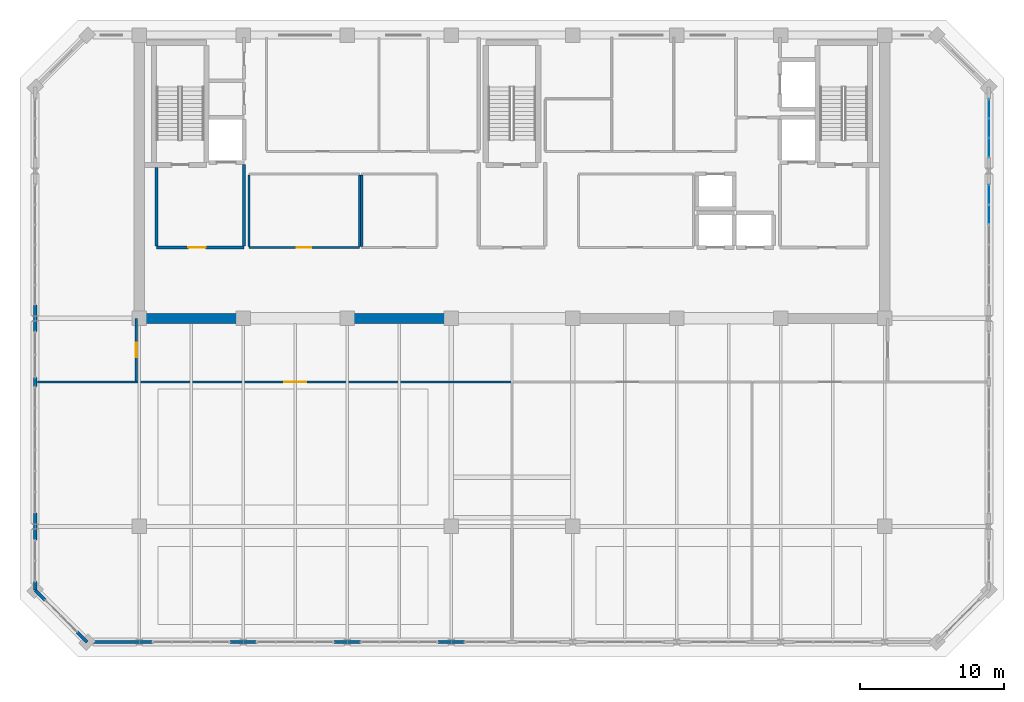
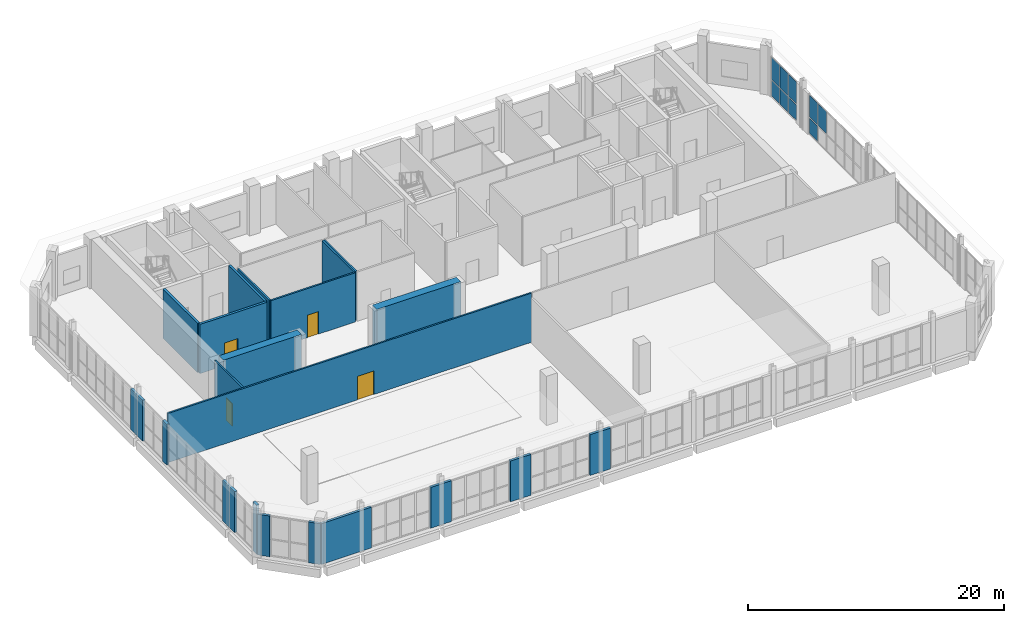
# One storey, part 29 of 36: 21 walls, 9 plates, 4 doors, 4 openings, 2 elements without a shape of their own.
"""IFC4 building model written with IfcOpenShell, lengths in metres."""

import ifcopenshell
import ifcopenshell.guid

model = None  # the IFC model being written
_history = None  # IfcOwnerHistory: only IFC2X3 demands one
_inside = {}  # id of a spatial element -> (the spatial element, [elements in it])
_under = {}  # id of a project, library or spatial element -> (it, [spatial elements below it])
_declared = {}  # id of a project -> (the project, [libraries it declares])
_typed = {}  # id of a type object -> (the type object, [elements of that type])
_made_of = {}  # id of a material, layer set ... -> (it, [elements and type objects made of it])


def new_model(schema):
    """Start an empty IFC model of exactly this schema.

    Asked for "IFC4X3", IfcOpenShell would pick the latest addendum, in which some entities
    have other attributes; the version numbers below select the first issue.
    IFC2X3 requires an IfcOwnerHistory on every rooted entity: one is made here for all.
    """
    global model, _history
    if schema == "IFC4X3":
        model = ifcopenshell.file(schema_version=(4, 3, 0, 0))
    else:
        model = ifcopenshell.file(schema=schema)
    _inside.clear()
    _under.clear()
    _declared.clear()
    _typed.clear()
    _made_of.clear()
    _history = None
    if model.schema == "IFC2X3":
        org = make("IfcOrganization", Name="unknown")
        user = make(
            "IfcPersonAndOrganization",
            ThePerson=make("IfcPerson", FamilyName="unknown"),
            TheOrganization=org,
        )
        app = make(
            "IfcApplication",
            ApplicationDeveloper=org,
            Version="unknown",
            ApplicationFullName="unknown",
            ApplicationIdentifier="unknown",
        )
        _history = make(
            "IfcOwnerHistory",
            OwningUser=user,
            OwningApplication=app,
            ChangeAction="ADDED",
            CreationDate=0,
        )
    return model


def make(cls, **values):
    """One entity of the class cls with the attributes given. An attribute that is None is left unset."""
    return model.create_entity(
        cls, **{name: value for name, value in values.items() if value is not None}
    )


def rooted(cls, **values):
    """An entity with a GlobalId (a new one), such as an element, a storey or a relation."""
    return make(cls, GlobalId=ifcopenshell.guid.new(), OwnerHistory=_history, **values)


def si_unit(unit_type, name, prefix=None):
    """IfcSIUnit, for example si_unit("LENGTHUNIT", "METRE", prefix="MILLI")."""
    return make("IfcSIUnit", UnitType=unit_type, Prefix=prefix, Name=name)


def assignment(units):
    """IfcUnitAssignment: the units of a project."""
    return None if units is None else make("IfcUnitAssignment", Units=units)


def point(xyz):
    """IfcCartesianPoint."""
    return None if xyz is None else make("IfcCartesianPoint", Coordinates=xyz)


def direction(xyz):
    """IfcDirection."""
    return None if xyz is None else make("IfcDirection", DirectionRatios=xyz)


def frame(location, z_axis=None, x_axis=None):
    """IfcAxis2Placement3D, a coordinate frame: its origin and axes. An axis left out is left unset."""
    return make(
        "IfcAxis2Placement3D",
        Location=point(location),
        Axis=direction(z_axis),
        RefDirection=direction(x_axis),
    )


def frame_2d(location, x_axis=None):
    """IfcAxis2Placement2D, a coordinate frame in the plane: its origin and x axis."""
    return make(
        "IfcAxis2Placement2D", Location=point(location), RefDirection=direction(x_axis)
    )


def origin():
    """The frame at (0, 0, 0) with its axes left unset."""
    return frame((0.0, 0.0, 0.0))


def origin_2d():
    """The frame at (0, 0) in the plane with its x axis left unset."""
    return frame_2d((0.0, 0.0))


def place(relative_to, where):
    """IfcLocalPlacement: puts the frame where relative to a parent placement (None: the world)."""
    return make(
        "IfcLocalPlacement", PlacementRelTo=relative_to, RelativePlacement=where
    )


def context(
    kind, dimensions, precision=None, world=None, true_north=None, identifier=None
):
    """IfcGeometricRepresentationContext, for example the 3D "Model" context."""
    return make(
        "IfcGeometricRepresentationContext",
        ContextIdentifier=identifier,
        ContextType=kind,
        CoordinateSpaceDimension=dimensions,
        Precision=precision,
        WorldCoordinateSystem=world,
        TrueNorth=true_north,
    )


def subcontext(parent, identifier, kind, view, scale=None):
    """IfcGeometricRepresentationSubContext, for example "Body" below "Model"."""
    return make(
        "IfcGeometricRepresentationSubContext",
        ContextIdentifier=identifier,
        ContextType=kind,
        ParentContext=parent,
        TargetScale=scale,
        TargetView=view,
    )


def project(units=None, contexts=None):
    """IfcProject with its units and contexts."""
    return rooted(
        "IfcProject",
        Name="project",
        RepresentationContexts=contexts,
        UnitsInContext=assignment(units),
    )


def spatial(cls, under=None, at=None, **own):
    """A site, building, storey or space (cls), placed at a placement, below another one or the project."""
    s = rooted(cls, ObjectPlacement=at, **own)
    if under is not None:
        _under.setdefault(under.id(), (under, []))[1].append(s)
    return s


def profile(cls, at=None, kind="AREA", **sizes):
    """A parametric profile (cls). Its sizes go by their IFC names, for example OverallWidth=200.0."""
    return make(cls, ProfileType=kind, Position=at, **sizes)


def rectangle(**sizes):
    """IfcRectangleProfileDef."""
    return profile("IfcRectangleProfileDef", **sizes)


def extrude(swept, where, along, depth):
    """IfcExtrudedAreaSolid: the profile swept, set in the frame where, extruded along a direction by depth."""
    return make(
        "IfcExtrudedAreaSolid",
        SweptArea=swept,
        Position=where,
        ExtrudedDirection=direction(along),
        Depth=depth,
    )


def shape(context_of_items, identifier, shape_type, items):
    """IfcShapeRepresentation: the items that make up one representation, for example the "Body"."""
    return make(
        "IfcShapeRepresentation",
        ContextOfItems=context_of_items,
        RepresentationIdentifier=identifier,
        RepresentationType=shape_type,
        Items=items,
    )


def material(Name=None, Category=None):
    """IfcMaterial."""
    return make("IfcMaterial", Name=Name, Category=Category)


def layer(
    of_material, thickness, ventilated=None, Name=None, Category=None, Priority=None
):
    """IfcMaterialLayer: one layer of a wall or slab, of a material (None: an air gap)."""
    return make(
        "IfcMaterialLayer",
        Material=of_material,
        LayerThickness=thickness,
        IsVentilated=ventilated,
        Name=Name,
        Category=Category,
        Priority=Priority,
    )


def layer_set(layers, Name=None):
    """IfcMaterialLayerSet."""
    return make("IfcMaterialLayerSet", MaterialLayers=layers, LayerSetName=Name)


def made_of(thing, what):
    """Note that an element or type object is made of a material, layer set ...; save() writes the relation."""
    if what is not None:
        _made_of.setdefault(what.id(), (what, []))[1].append(thing)
    return thing


def type_object(cls, material=None, **own):
    """A type object (cls), such as IfcWallType, which elements share."""
    return made_of(rooted(cls, **own), material)


def element(
    cls,
    number,
    at=None,
    inside=None,
    cuts=None,
    type_object=None,
    material=None,
    context=None,
    identifier="Body",
    shape_type=None,
    held_by="IfcProductDefinitionShape",
    body=None,
    shapes=None,
    **own,
):
    """One element of the class cls, such as IfcWall. Its Tag is "e" and its number.

    at: its placement. inside: the storey or other place that contains it. cuts: it is an
    opening in that element (IfcRelVoidsElement). A single representation is given by context,
    identifier, shape_type and body (its items); several are given by shapes. held_by: the class
    of the entity that holds the representations. save() writes the other relations.
    """
    e = rooted(cls, Tag="e%d" % number, ObjectPlacement=at, **own)
    if body is not None:
        shapes = [shape(context, identifier, shape_type, body)]
    if shapes is not None:
        e.Representation = make(held_by, Representations=shapes)
    if inside is not None:
        _inside.setdefault(inside.id(), (inside, []))[1].append(e)
    if cuts is not None:
        rooted(
            "IfcRelVoidsElement", RelatingBuildingElement=cuts, RelatedOpeningElement=e
        )
    if type_object is not None:
        _typed.setdefault(type_object.id(), (type_object, []))[1].append(e)
    return made_of(e, material)


def fill(opening, filler):
    """IfcRelFillsElement: the door or window that sits in an opening."""
    return rooted(
        "IfcRelFillsElement",
        RelatingOpeningElement=opening,
        RelatedBuildingElement=filler,
    )


def aggregate(whole, parts):
    """IfcRelAggregates: a whole, such as a stair, and the parts it consists of."""
    return rooted("IfcRelAggregates", RelatingObject=whole, RelatedObjects=parts)


def save(model, path):
    """Write the relations noted so far, then the file.

    IfcRelAggregates (storeys below a building ...), IfcRelContainedInSpatialStructure (elements
    in a storey), IfcRelDefinesByType, IfcRelAssociatesMaterial and IfcRelDeclares: one each for
    every whole, place, type object, material and project.
    """
    for whole, parts in _under.values():
        aggregate(whole, parts)
    for where, things in _inside.values():
        rooted(
            "IfcRelContainedInSpatialStructure",
            RelatedElements=things,
            RelatingStructure=where,
        )
    for kind, things in _typed.values():
        rooted("IfcRelDefinesByType", RelatedObjects=things, RelatingType=kind)
    for what, things in _made_of.values():
        rooted("IfcRelAssociatesMaterial", RelatedObjects=things, RelatingMaterial=what)
    for by, libraries in _declared.values():
        rooted("IfcRelDeclares", RelatingContext=by, RelatedDefinitions=libraries)
    model.write(path)


model = new_model("IFC4")

# Units and contexts
model_context = context("Model", 3, precision=1e-05, world=origin(), true_north=direction((0.0, 1.0)))
body_context = subcontext(model_context, "Body", "Model", "MODEL_VIEW")
ifc_project = project(units=[si_unit("LENGTHUNIT", "METRE"), si_unit("AREAUNIT", "SQUARE_METRE"), si_unit("VOLUMEUNIT", "CUBIC_METRE"), si_unit("PLANEANGLEUNIT", "RADIAN"), si_unit("MASSUNIT", "GRAM", prefix="KILO")], contexts=[model_context])

# Site, building, storey
site_placement = place(None, origin())
site = spatial("IfcSite", under=ifc_project, at=site_placement, CompositionType="ELEMENT")
building_placement = place(site_placement, origin())
building = spatial("IfcBuilding", under=site, at=building_placement, Name="Kaelvorn Grand Hotel", CompositionType="ELEMENT")
storey_placement = place(building_placement, frame((0.0, 0.0, 305.699951171875)))
storey = spatial("IfcBuildingStorey", under=building, at=storey_placement, Name="L74", CompositionType="ELEMENT", Elevation=305.699951171875)

# Curtain wall, plates
ifc_material_1 = material(Name="Anodised Aluminium", Category="aluminium")
ifc_layer_1 = layer(ifc_material_1, 0.159912109375)
ifc_layer_set_1 = layer_set([ifc_layer_1], Name="Anodised Aluminium")
curtain_wall_type = type_object("IfcCurtainWallType", Name="CW-SYS6", PredefinedType="NOTDEFINED", material=ifc_layer_set_1)
curtain_wall_1_placement = place(storey_placement, origin())
curtain_wall_1 = element("IfcCurtainWall", 1, at=curtain_wall_1_placement, inside=storey, type_object=curtain_wall_type, Name="L74 Unitised Curtain Wall CW6 (CW-L74-E-04)", PredefinedType="NOTDEFINED")
ifc_material_2 = material(Name="Laminated Low-E Glass", Category="glass")
ifc_layer_2 = layer(ifc_material_2, 0.02587890625)
ifc_layer_set_2 = layer_set([ifc_layer_2], Name="Laminated Low-E Glass")
plate_type = type_object("IfcPlateType", Name="CW-SYS6-PAN", PredefinedType="CURTAIN_PANEL", material=ifc_layer_set_2)
plate_1_placement = place(storey_placement, frame((75.0, 36.590087890625, 1.697998046875), z_axis=(0.0, 0.0, 1.0), x_axis=(0.0, 1.0, 0.0)))
plate_1 = element("IfcPlate", 2, at=plate_1_placement, type_object=plate_type, Name="CW6 panel 5.2", PredefinedType="CURTAIN_PANEL", context=body_context, shape_type="SweptSolid", body=[
    extrude(rectangle(XDim=1.328369140625, YDim=0.02587890625, at=origin_2d()), origin(), (0.0, 0.0, 1.0), 2.08203125),
])
plate_2_placement = place(storey_placement, frame((75.0, 37.967041015625, 0.1201171875), z_axis=(0.0, 0.0, 1.0), x_axis=(0.0, 1.0, 0.0)))
plate_2 = element("IfcPlate", 3, at=plate_2_placement, type_object=plate_type, Name="CW6 panel 6.1", PredefinedType="CURTAIN_PANEL", context=body_context, shape_type="SweptSolid", body=[
    extrude(rectangle(XDim=1.2958984375, YDim=0.02587890625, at=origin_2d()), origin(), (0.0, 0.0, 1.0), 1.4580078125),
])
plate_3_placement = place(storey_placement, frame((75.0, 37.967041015625, 1.697998046875), z_axis=(0.0, 0.0, 1.0), x_axis=(0.0, 1.0, 0.0)))
plate_3 = element("IfcPlate", 4, at=plate_3_placement, type_object=plate_type, Name="CW6 panel 6.2", PredefinedType="CURTAIN_PANEL", context=body_context, shape_type="SweptSolid", body=[
    extrude(rectangle(XDim=1.2958984375, YDim=0.02587890625, at=origin_2d()), origin(), (0.0, 0.0, 1.0), 2.08203125),
])
aggregate(curtain_wall_1, [plate_1, plate_2, plate_3])

curtain_wall_2_placement = place(storey_placement, origin())
curtain_wall_2 = element("IfcCurtainWall", 5, at=curtain_wall_2_placement, inside=storey, type_object=curtain_wall_type, Name="L74 Unitised Curtain Wall CW6 (CW-L74-E-05)", PredefinedType="NOTDEFINED")
plate_4_placement = place(storey_placement, frame((75.0, 41.21630859375, 0.1201171875), z_axis=(0.0, 0.0, 1.0), x_axis=(0.0, 1.0, 0.0)))
plate_4 = element("IfcPlate", 6, at=plate_4_placement, type_object=plate_type, Name="CW6 panel 1.1", PredefinedType="CURTAIN_PANEL", context=body_context, shape_type="SweptSolid", body=[
    extrude(rectangle(XDim=1.262451171875, YDim=0.02587890625, at=origin_2d()), origin(), (0.0, 0.0, 1.0), 1.4580078125),
])
plate_5_placement = place(storey_placement, frame((75.0, 41.21630859375, 1.697998046875), z_axis=(0.0, 0.0, 1.0), x_axis=(0.0, 1.0, 0.0)))
plate_5 = element("IfcPlate", 7, at=plate_5_placement, type_object=plate_type, Name="CW6 panel 1.2", PredefinedType="CURTAIN_PANEL", context=body_context, shape_type="SweptSolid", body=[
    extrude(rectangle(XDim=1.262451171875, YDim=0.02587890625, at=origin_2d()), origin(), (0.0, 0.0, 1.0), 2.08203125),
])
plate_6_placement = place(storey_placement, frame((75.0, 42.56005859375, 0.1201171875), z_axis=(0.0, 0.0, 1.0), x_axis=(0.0, 1.0, 0.0)))
plate_6 = element("IfcPlate", 8, at=plate_6_placement, type_object=plate_type, Name="CW6 panel 2.1", PredefinedType="CURTAIN_PANEL", context=body_context, shape_type="SweptSolid", body=[
    extrude(rectangle(XDim=1.294921875, YDim=0.02587890625, at=origin_2d()), origin(), (0.0, 0.0, 1.0), 1.4580078125),
])
plate_7_placement = place(storey_placement, frame((75.0, 42.56005859375, 1.697998046875), z_axis=(0.0, 0.0, 1.0), x_axis=(0.0, 1.0, 0.0)))
plate_7 = element("IfcPlate", 9, at=plate_7_placement, type_object=plate_type, Name="CW6 panel 2.2", PredefinedType="CURTAIN_PANEL", context=body_context, shape_type="SweptSolid", body=[
    extrude(rectangle(XDim=1.294921875, YDim=0.02587890625, at=origin_2d()), origin(), (0.0, 0.0, 1.0), 2.08203125),
])
plate_8_placement = place(storey_placement, frame((75.0, 43.90380859375, 0.1201171875), z_axis=(0.0, 0.0, 1.0), x_axis=(0.0, 1.0, 0.0)))
plate_8 = element("IfcPlate", 10, at=plate_8_placement, type_object=plate_type, Name="CW6 panel 3.1", PredefinedType="CURTAIN_PANEL", context=body_context, shape_type="SweptSolid", body=[
    extrude(rectangle(XDim=1.262451171875, YDim=0.02587890625, at=origin_2d()), origin(), (0.0, 0.0, 1.0), 1.4580078125),
])
plate_9_placement = place(storey_placement, frame((75.0, 43.90380859375, 1.697998046875), z_axis=(0.0, 0.0, 1.0), x_axis=(0.0, 1.0, 0.0)))
plate_9 = element("IfcPlate", 11, at=plate_9_placement, type_object=plate_type, Name="CW6 panel 3.2", PredefinedType="CURTAIN_PANEL", context=body_context, shape_type="SweptSolid", body=[
    extrude(rectangle(XDim=1.262451171875, YDim=0.02587890625, at=origin_2d()), origin(), (0.0, 0.0, 1.0), 2.08203125),
])
aggregate(curtain_wall_2, [plate_4, plate_5, plate_6, plate_7, plate_8, plate_9])

# Walls
ifc_material_3 = material(Name="Concrete C50/60", Category="concrete")
ifc_layer_3 = layer(ifc_material_3, 0.699951171875)
ifc_layer_set_3 = layer_set([ifc_layer_3], Name="Concrete C50/60")
wall_type_1 = type_object("IfcWallType", Name="WL-CORE-700-C50", PredefinedType="SHEAR", material=ifc_layer_set_3)
wall_1_placement = place(storey_placement, frame((16.554931640625, 29.39990234375, 0.0), z_axis=(0.0, 0.0, 1.0), x_axis=(1.0, 0.0, 0.0)))
element("IfcWall", 12, at=wall_1_placement, inside=storey, type_object=wall_type_1, Name="L74 Rear-Core Coupled Shear Pier S1", PredefinedType="SHEAR", context=body_context, shape_type="SweptSolid", body=[
    extrude(rectangle(XDim=7.045166015625, YDim=0.699951171875, at=frame_2d((3.5224609375, 0.0))), origin(), (0.0, 0.0, 1.0), 4.699951171875),
])
wall_2_placement = place(storey_placement, frame((30.39990234375, 29.39990234375, 0.0), z_axis=(0.0, 0.0, 1.0), x_axis=(1.0, 0.0, 0.0)))
element("IfcWall", 13, at=wall_2_placement, inside=storey, type_object=wall_type_1, Name="L74 Rear-Core Coupled Shear Pier S2", PredefinedType="SHEAR", context=body_context, shape_type="SweptSolid", body=[
    extrude(rectangle(XDim=7.60009765625, YDim=0.699951171875, at=frame_2d((3.800048828125, 0.0))), origin(), (0.0, 0.0, 1.0), 4.699951171875),
])
ifc_material_4 = material(Name="Concrete C40/50", Category="concrete")
ifc_layer_4 = layer(ifc_material_4, 0.219970703125)
ifc_layer_set_4 = layer_set([ifc_layer_4], Name="Concrete C40/50")
wall_type_2 = type_object("IfcWallType", Name="WL-EXT-220-C40", PredefinedType="SOLIDWALL", material=ifc_layer_set_4)
wall_3_placement = place(storey_placement, frame((12.60009765625, 7.0, 0.0), z_axis=(0.0, 0.0, 1.0), x_axis=(1.0, 0.0, 0.0)))
element("IfcWall", 14, at=wall_3_placement, inside=storey, type_object=wall_type_2, Name="L74 Exterior Architectural Concrete Wall 01 Pier 1", PredefinedType="SOLIDWALL", context=body_context, shape_type="SweptSolid", body=[
    extrude(rectangle(XDim=4.52490234375, YDim=0.219970703125, at=frame_2d((2.262451171875, 0.0))), origin(), (0.0, 0.0, 1.0), 3.900146484375),
])
for number, where, z_axis, x_axis, name in (
    (15, (22.47509765625, 7.0, 0.0), (0.0, 0.0, 1.0), (1.0, 0.0, 0.0), "L74 Exterior Architectural Concrete Wall 01 Pier 2"),
    (16, (29.675048828125, 7.0, 0.0), (0.0, 0.0, 1.0), (1.0, 0.0, 0.0), "L74 Exterior Architectural Concrete Wall 01 Pier 3"),
):
    element("IfcWall", number, at=place(storey_placement, frame(where, z_axis=z_axis, x_axis=x_axis)), inside=storey, type_object=wall_type_2, Name=name, PredefinedType="SOLIDWALL", context=body_context, shape_type="SweptSolid", body=[
        extrude(rectangle(XDim=1.849853515625, YDim=0.219970703125, at=frame_2d((0.9248046875, 0.0))), origin(), (0.0, 0.0, 1.0), 3.900146484375),
    ])
wall_4_placement = place(storey_placement, frame((36.875, 7.0, 0.0), z_axis=(0.0, 0.0, 1.0), x_axis=(1.0, 0.0, 0.0)))
element("IfcWall", 17, at=wall_4_placement, inside=storey, type_object=wall_type_2, Name="L74 Exterior Architectural Concrete Wall 01 Pier 4", PredefinedType="SOLIDWALL", context=body_context, shape_type="SweptSolid", body=[
    extrude(rectangle(XDim=1.85009765625, YDim=0.219970703125, at=frame_2d((0.925048828125, 0.0))), origin(), (0.0, 0.0, 1.0), 3.900146484375),
])
wall_5_placement = place(storey_placement, frame((9.0, 30.324951171875, 0.0), z_axis=(0.0, 0.0, 1.0), x_axis=(0.0, -1.0, 0.0)))
element("IfcWall", 18, at=wall_5_placement, inside=storey, type_object=wall_type_2, Name="L74 Exterior Architectural Concrete Wall 07 Pier 3", PredefinedType="SOLIDWALL", context=body_context, shape_type="SweptSolid", body=[
    extrude(rectangle(XDim=1.849853515625, YDim=0.219970703125, at=frame_2d((0.9248046875, 0.0))), origin(), (0.0, 0.0, 1.0), 3.900146484375),
])
wall_6_placement = place(storey_placement, frame((9.0, 25.324951171875, 0.0), z_axis=(0.0, 0.0, 1.0), x_axis=(0.0, -1.0, 0.0)))
element("IfcWall", 19, at=wall_6_placement, inside=storey, type_object=wall_type_2, Name="L74 Exterior Architectural Concrete Wall 07 Pier 4", PredefinedType="SOLIDWALL", context=body_context, shape_type="SweptSolid", body=[
    extrude(rectangle(XDim=0.64990234375, YDim=0.219970703125, at=frame_2d((0.324951171875, 0.0))), origin(), (0.0, 0.0, 1.0), 3.900146484375),
])
wall_7_placement = place(storey_placement, frame((9.0, 15.925048828125, 0.0), z_axis=(0.0, 0.0, 1.0), x_axis=(0.0, -1.0, 0.0)))
element("IfcWall", 20, at=wall_7_placement, inside=storey, type_object=wall_type_2, Name="L74 Exterior Architectural Concrete Wall 07 Pier 5", PredefinedType="SOLIDWALL", context=body_context, shape_type="SweptSolid", body=[
    extrude(rectangle(XDim=1.85009765625, YDim=0.219970703125, at=frame_2d((0.925048828125, 0.0))), origin(), (0.0, 0.0, 1.0), 3.900146484375),
])
wall_8_placement = place(storey_placement, frame((9.0, 11.205078125, 0.0), z_axis=(0.0, 0.0, 1.0), x_axis=(0.0, -1.0, 0.0)))
element("IfcWall", 21, at=wall_8_placement, inside=storey, type_object=wall_type_2, Name="L74 Exterior Architectural Concrete Wall 07 Pier 6", PredefinedType="SOLIDWALL", context=body_context, shape_type="SweptSolid", body=[
    extrude(rectangle(XDim=0.60498046875, YDim=0.219970703125, at=frame_2d((0.302490234375, 0.0))), origin(), (0.0, 0.0, 1.0), 4.699951171875),
])
for number, where, z_axis, x_axis, name in (
    (22, (9.0, 10.60009765625, 0.0), (0.0, 0.0, 1.0), (0.707106781187, -0.707106781187, 0.0), "L74 Exterior Architectural Concrete Wall 08 Pier 1"),
    (23, (11.903564453125, 7.696533203125, 0.0), (0.0, 0.0, 1.0), (0.707106781187, -0.707106781187, 0.0), "L74 Exterior Architectural Concrete Wall 08 Pier 2"),
):
    element("IfcWall", number, at=place(storey_placement, frame(where, z_axis=z_axis, x_axis=x_axis)), inside=storey, type_object=wall_type_2, Name=name, PredefinedType="SOLIDWALL", context=body_context, shape_type="SweptSolid", body=[
        extrude(rectangle(XDim=0.985107421875, YDim=0.219970703125, at=frame_2d((0.49267578125, 0.0))), origin(), (0.0, 0.0, 1.0), 3.900146484375),
    ])
ifc_material_5 = material(Name="Acoustic Gypsum & Stud Partition")
ifc_layer_5 = layer(ifc_material_5, 0.14990234375)
ifc_layer_set_5 = layer_set([ifc_layer_5], Name="Acoustic Gypsum & Stud Partition")
wall_type_3 = type_object("IfcWallType", Name="WL-PART-150-EI60", PredefinedType="PARTITIONING", material=ifc_layer_set_5)
wall_9_placement = place(storey_placement, frame((31.60009765625, 34.3798828125, 0.0), z_axis=(0.0, 0.0, 1.0), x_axis=(0.0, 1.0, 0.0)))
element("IfcWall", 24, at=wall_9_placement, inside=storey, type_object=wall_type_3, Name="L74 Core Telecoms & BMS Server Room W Partition", PredefinedType="PARTITIONING", context=body_context, shape_type="SweptSolid", body=[
    extrude(rectangle(XDim=4.940185546875, YDim=0.14990234375, at=frame_2d((2.47021484375, 0.0))), origin(), (0.0, 0.0, 1.0), 4.699951171875),
])

# Wall, opening, door
wall_10_placement = place(storey_placement, frame((23.800048828125, 34.300048828125, 0.0), z_axis=(0.0, 0.0, 1.0), x_axis=(1.0, 0.0, 0.0)))
wall_10 = element("IfcWall", 25, at=wall_10_placement, inside=storey, type_object=wall_type_3, Name="L74 Crown Sommelier & Tasting Salon S Partition", PredefinedType="PARTITIONING", context=body_context, shape_type="SweptSolid", body=[
    extrude(rectangle(XDim=7.64990234375, YDim=0.14990234375, at=frame_2d((3.824951171875, 0.0))), origin(), (0.0, 0.0, 1.0), 4.699951171875),
])
opening_1_placement = place(wall_10_placement, frame((3.300048828125, 0.0, 0.0)))
opening_1 = element("IfcOpeningElement", 26, at=opening_1_placement, cuts=wall_10, Name="Opening DI3", PredefinedType="OPENING", context=body_context, shape_type="SweptSolid", body=[
    extrude(rectangle(XDim=1.0, YDim=2.14990234375, at=frame_2d((0.5, 1.074951171875))), frame((0.0, 0.0849609375, 0.0), z_axis=(0.0, -1.0, 0.0), x_axis=(1.0, 0.0, 0.0)), (0.0, 0.0, 1.0), 0.169921875),
])
ifc_material_6 = material(Name="Timber Veneer Fire Leaf", Category="wood")
door_type_1 = type_object("IfcDoorType", Name="DR-INT-GUEST-1000x2150", OperationType="NOTDEFINED", PredefinedType="DOOR", material=ifc_material_6)
door_1_placement = place(opening_1_placement, origin())
door_1 = element("IfcDoor", 27, at=door_1_placement, inside=storey, type_object=door_type_1, Name="L74 Crown Sommelier & Tasting Salon Door", OperationType="SINGLE_SWING_RIGHT", OverallHeight=2.14990234375, OverallWidth=1.0, PredefinedType="DOOR", context=body_context, shape_type="SweptSolid", body=[
    extrude(rectangle(XDim=1.0, YDim=2.14990234375, at=frame_2d((0.5, 1.074951171875))), frame((0.0, 0.02490234375, 0.0), z_axis=(0.0, -1.0, 0.0), x_axis=(1.0, 0.0, 0.0)), (0.0, 0.0, 1.0), 0.050048828125),
])
fill(opening_1, door_1)

# Walls
for number, where, z_axis, x_axis, name in (
    (28, (23.800048828125, 34.3798828125, 0.0), (0.0, 0.0, 1.0), (0.0, 1.0, 0.0), "L74 Crown Sommelier & Tasting Salon W Partition"),
    (29, (31.449951171875, 34.3798828125, 0.0), (0.0, 0.0, 1.0), (0.0, 1.0, 0.0), "L74 Crown Sommelier & Tasting Salon E Partition"),
):
    element("IfcWall", number, at=place(storey_placement, frame(where, z_axis=z_axis, x_axis=x_axis)), inside=storey, type_object=wall_type_3, Name=name, PredefinedType="PARTITIONING", context=body_context, shape_type="SweptSolid", body=[
        extrude(rectangle(XDim=4.940185546875, YDim=0.14990234375, at=frame_2d((2.47021484375, 0.0))), origin(), (0.0, 0.0, 1.0), 4.699951171875),
    ])

# Wall, opening, door
wall_11_placement = place(storey_placement, frame((9.14990234375, 25.0, 0.0), z_axis=(0.0, 0.0, 1.0), x_axis=(1.0, 0.0, 0.0)))
wall_11 = element("IfcWall", 30, at=wall_11_placement, inside=storey, type_object=wall_type_3, Name="L74 Signature Sky Restaurant N Partition", PredefinedType="PARTITIONING", context=body_context, shape_type="SweptSolid", body=[
    extrude(rectangle(XDim=32.85009765625, YDim=0.14990234375, at=frame_2d((16.425048828125, 0.0))), origin(), (0.0, 0.0, 1.0), 4.699951171875),
])
opening_2_placement = place(wall_11_placement, frame((17.10009765625, 0.0, 0.0)))
opening_2 = element("IfcOpeningElement", 31, at=opening_2_placement, cuts=wall_11, Name="Opening DI5", PredefinedType="OPENING", context=body_context, shape_type="SweptSolid", body=[
    extrude(rectangle(XDim=1.5, YDim=2.25, at=frame_2d((0.75, 1.125))), frame((0.0, 0.0849609375, 0.0), z_axis=(0.0, -1.0, 0.0), x_axis=(1.0, 0.0, 0.0)), (0.0, 0.0, 1.0), 0.169921875),
])
door_type_2 = type_object("IfcDoorType", Name="DR-INT-SALON-1500x2250", OperationType="DOUBLE_DOOR_SINGLE_SWING", PredefinedType="DOOR", material=ifc_material_6)
door_2_placement = place(opening_2_placement, origin())
door_2 = element("IfcDoor", 32, at=door_2_placement, inside=storey, type_object=door_type_2, Name="L74 Signature Sky Restaurant Door", OperationType="DOUBLE_DOOR_SINGLE_SWING", OverallHeight=2.25, OverallWidth=1.5, PredefinedType="DOOR", context=body_context, shape_type="SweptSolid", body=[
    extrude(rectangle(XDim=1.5, YDim=2.25, at=frame_2d((0.75, 1.125))), frame((0.0, 0.02490234375, 0.0), z_axis=(0.0, -1.0, 0.0), x_axis=(1.0, 0.0, 0.0)), (0.0, 0.0, 1.0), 0.050048828125),
])
fill(opening_2, door_2)

wall_12_placement = place(storey_placement, frame((16.0, 25.080078125, 0.0), z_axis=(0.0, 0.0, 1.0), x_axis=(0.0, 1.0, 0.0)))
wall_12 = element("IfcWall", 33, at=wall_12_placement, inside=storey, type_object=wall_type_3, Name="L74 West Sky Private Dining Room E Partition", PredefinedType="PARTITIONING", context=body_context, shape_type="SweptSolid", body=[
    extrude(rectangle(XDim=4.309814453125, YDim=0.14990234375, at=frame_2d((2.15478515625, 0.0))), origin(), (0.0, 0.0, 1.0), 4.699951171875),
])
opening_3_placement = place(wall_12_placement, frame((1.6201171875, 0.0, 0.0)))
opening_3 = element("IfcOpeningElement", 34, at=opening_3_placement, cuts=wall_12, Name="Opening DI3", PredefinedType="OPENING", context=body_context, shape_type="SweptSolid", body=[
    extrude(rectangle(XDim=1.0, YDim=2.14990234375, at=frame_2d((0.5, 1.074951171875))), frame((0.0, 0.0849609375, 0.0), z_axis=(0.0, -1.0, 0.0), x_axis=(1.0, 0.0, 0.0)), (0.0, 0.0, 1.0), 0.169921875),
])
door_3_placement = place(opening_3_placement, origin())
door_3 = element("IfcDoor", 35, at=door_3_placement, inside=storey, type_object=door_type_1, Name="L74 West Sky Private Dining Room Door", OperationType="SINGLE_SWING_RIGHT", OverallHeight=2.14990234375, OverallWidth=1.0, PredefinedType="DOOR", context=body_context, shape_type="SweptSolid", body=[
    extrude(rectangle(XDim=1.0, YDim=2.14990234375, at=frame_2d((0.5, 1.074951171875))), frame((0.0, 0.02490234375, 0.0), z_axis=(0.0, -1.0, 0.0), x_axis=(1.0, 0.0, 0.0)), (0.0, 0.0, 1.0), 0.050048828125),
])
fill(opening_3, door_3)

ifc_layer_6 = layer(ifc_material_4, 0.219970703125)
ifc_layer_set_6 = layer_set([ifc_layer_6], Name="Concrete C40/50")
wall_type_4 = type_object("IfcWallType", Name="WL-PART-220-EI120", PredefinedType="PARTITIONING", material=ifc_layer_set_6)
wall_13_placement = place(storey_placement, frame((17.39990234375, 34.300048828125, 0.0), z_axis=(0.0, 0.0, 1.0), x_axis=(1.0, 0.0, 0.0)))
wall_13 = element("IfcWall", 36, at=wall_13_placement, inside=storey, type_object=wall_type_4, Name="L74 Firefighting Lift Lobby 1 S Partition", PredefinedType="PARTITIONING", context=body_context, shape_type="SweptSolid", body=[
    extrude(rectangle(XDim=6.050048828125, YDim=0.219970703125, at=frame_2d((3.02490234375, 0.0))), origin(), (0.0, 0.0, 1.0), 4.699951171875),
])
opening_4_placement = place(wall_13_placement, frame((2.199951171875, 0.0, 0.0)))
opening_4 = element("IfcOpeningElement", 37, at=opening_4_placement, cuts=wall_13, Name="Opening DI2", PredefinedType="OPENING", context=body_context, shape_type="SweptSolid", body=[
    extrude(rectangle(XDim=1.199951171875, YDim=2.14990234375, at=frame_2d((0.60009765625, 1.074951171875))), frame((0.0, 0.1201171875, 0.0), z_axis=(0.0, -1.0, 0.0), x_axis=(1.0, 0.0, 0.0)), (0.0, 0.0, 1.0), 0.239990234375),
])
door_type_3 = type_object("IfcDoorType", Name="DR-INT-FFLOB-1200x2150", OperationType="NOTDEFINED", PredefinedType="DOOR", material=ifc_material_6)
door_4_placement = place(opening_4_placement, origin())
door_4 = element("IfcDoor", 38, at=door_4_placement, inside=storey, type_object=door_type_3, Name="L74 Firefighting Lift Lobby 1 Door", OperationType="SINGLE_SWING_LEFT", OverallHeight=2.14990234375, OverallWidth=1.199951171875, PredefinedType="DOOR", context=body_context, shape_type="SweptSolid", body=[
    extrude(rectangle(XDim=1.199951171875, YDim=2.14990234375, at=frame_2d((0.60009765625, 1.074951171875))), frame((0.0, 0.02490234375, 0.0), z_axis=(0.0, -1.0, 0.0), x_axis=(1.0, 0.0, 0.0)), (0.0, 0.0, 1.0), 0.050048828125),
])
fill(opening_4, door_4)

# Walls
wall_14_placement = place(storey_placement, frame((17.39990234375, 34.4150390625, 0.0), z_axis=(0.0, 0.0, 1.0), x_axis=(0.0, 1.0, 0.0)))
element("IfcWall", 39, at=wall_14_placement, inside=storey, type_object=wall_type_4, Name="L74 Firefighting Lift Lobby 1 W Partition", PredefinedType="PARTITIONING", context=body_context, shape_type="SweptSolid", body=[
    extrude(rectangle(XDim=5.429931640625, YDim=0.219970703125, at=frame_2d((2.71484375, 0.0))), origin(), (0.0, 0.0, 1.0), 4.699951171875),
])
wall_15_placement = place(storey_placement, frame((23.449951171875, 34.4150390625, 0.0), z_axis=(0.0, 0.0, 1.0), x_axis=(0.0, 1.0, 0.0)))
element("IfcWall", 40, at=wall_15_placement, inside=storey, type_object=wall_type_4, Name="L74 Firefighting Lift Lobby 1 E Partition", PredefinedType="PARTITIONING", context=body_context, shape_type="SweptSolid", body=[
    extrude(rectangle(XDim=5.639892578125, YDim=0.219970703125, at=frame_2d((2.81982421875, 0.0))), origin(), (0.0, 0.0, 1.0), 4.699951171875),
])

save(model, "model.ifc")
